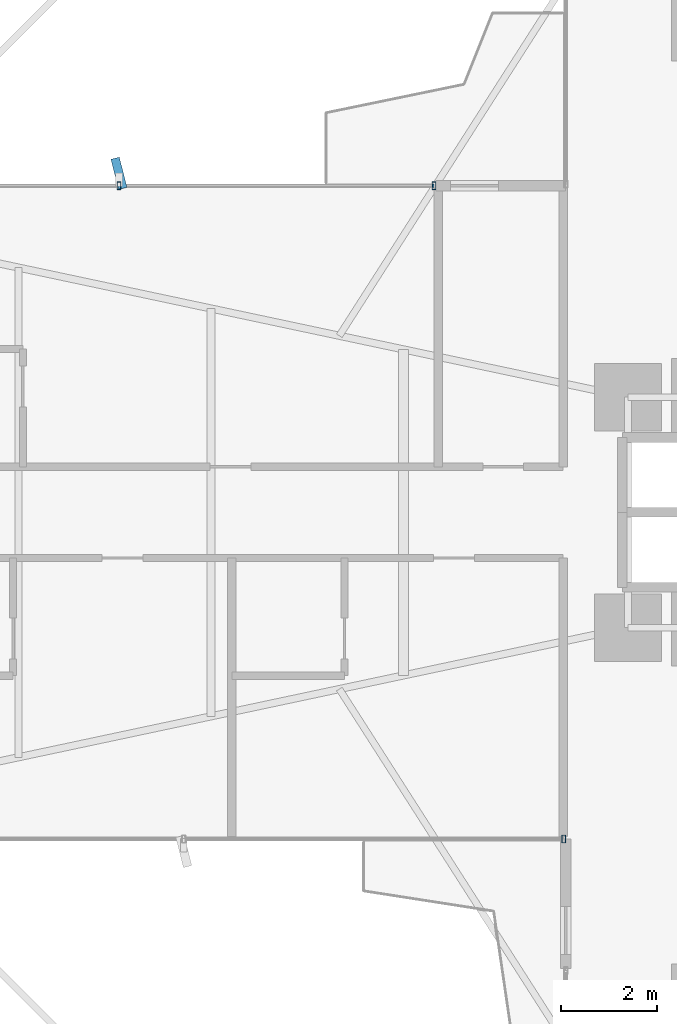
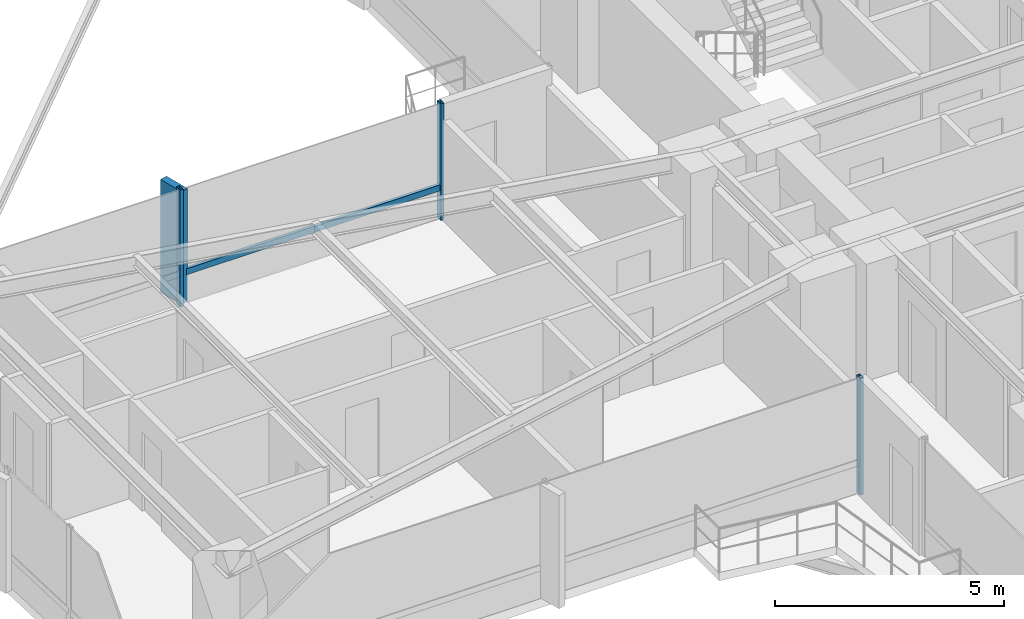
# One storey, part 10 of 26: 5 members, 2 elements without a shape of their own.
"""IFC4 building model written with IfcOpenShell, lengths in metres."""

from ifc_helpers import new_model, si_unit, direction, frame, origin, origin_2d, place, context, subcontext, project, spatial, rectangle, hollow_rectangle, extrude, source, transform, mapped, material, material_profile, profile_set, type_object, element, aggregate, save


model = new_model("IFC4")

# Units and contexts
model_context = context("Model", 3, precision=1e-05, world=origin(), true_north=direction((0.0, 1.0)))
body_context = subcontext(model_context, "Body", "Model", "MODEL_VIEW")
ifc_project = project(units=[si_unit("LENGTHUNIT", "METRE"), si_unit("AREAUNIT", "SQUARE_METRE"), si_unit("VOLUMEUNIT", "CUBIC_METRE"), si_unit("PLANEANGLEUNIT", "RADIAN"), si_unit("MASSUNIT", "GRAM", prefix="KILO")], contexts=[model_context])

# Site, building, storey
site_placement = place(None, origin())
site = spatial("IfcSite", under=ifc_project, at=site_placement, CompositionType="ELEMENT")
building_placement = place(site_placement, origin())
building = spatial("IfcBuilding", under=site, at=building_placement, Name="Sahyath Konkavel Grand Hotel", CompositionType="ELEMENT")
storey_placement = place(building_placement, frame((0.0, 0.0, 51.050048828125)))
storey = spatial("IfcBuildingStorey", under=building, at=storey_placement, Name="L13", CompositionType="ELEMENT", Elevation=51.050048828125)

# Curtain wall, members
ifc_material_1 = material(Name="Anodised Bronze Aluminium & Low-E Glazing", Category="aluminium")
curtain_wall_type = type_object("IfcCurtainWallType", Name="CW-ZONE1", PredefinedType="NOTDEFINED", material=ifc_material_1)
curtain_wall_1_placement = place(storey_placement, origin())
curtain_wall_1 = element("IfcCurtainWall", 1, at=curtain_wall_1_placement, inside=storey, type_object=curtain_wall_type, Name="L13 Unitised Curtain Wall F16", PredefinedType="NOTDEFINED")
ifc_material_2 = material(Name="Anodised Bronze Aluminium", Category="aluminium")
ifc_material_profile_1 = material_profile(ifc_material_2, hollow_rectangle(XDim=0.080078125, YDim=0.159912109375, WallThickness=0.006103515625, at=origin_2d()), Name="RHS 160x80x6")
ifc_profile_set_1 = profile_set([ifc_material_profile_1], Name="Anodised Bronze Aluminium")
member_type_1 = type_object("IfcMemberType", Name="CW-MUL-160", PredefinedType="MULLION", material=ifc_profile_set_1)
shared_shape_1 = source(origin(), body_context, "Body", "SweptSolid", [
    extrude(hollow_rectangle(XDim=0.080078125, YDim=0.159912109375, WallThickness=0.006103515625, at=origin_2d()), origin(), (0.0, 0.0, 1.0), 3.10986328125),
])
member_1_placement = place(storey_placement, frame((-9.5400390625, 6.800048828125, 0.0), z_axis=(0.0, 0.0, 1.0), x_axis=(1.0, 0.0, 0.0)))
member_1 = element("IfcMember", 2, at=member_1_placement, type_object=member_type_1, Name="L13 Curtain Wall Mullion F16-0", PredefinedType="MULLION", context=body_context, shape_type="MappedRepresentation", body=[
    mapped(shared_shape_1, transform((0.0, 0.0, 0.0), scale=1.0)),
])
member_2_placement = place(storey_placement, frame((-16.10009765625, 6.800048828125, 0.0), z_axis=(0.0, 0.0, 1.0), x_axis=(1.0, 0.0, 0.0)))
member_2 = element("IfcMember", 3, at=member_2_placement, type_object=member_type_1, Name="L13 Curtain Wall Mullion F16-1", PredefinedType="MULLION", context=body_context, shape_type="MappedRepresentation", body=[
    mapped(shared_shape_1, transform((0.0, 0.0, 0.0), scale=1.0)),
])

# Curtain wall, member
curtain_wall_2_placement = place(storey_placement, origin())
curtain_wall_2 = element("IfcCurtainWall", 4, at=curtain_wall_2_placement, inside=storey, type_object=curtain_wall_type, Name="L13 Unitised Curtain Wall F23", PredefinedType="NOTDEFINED")
member_3_placement = place(storey_placement, frame((-6.840087890625, -6.800048828125, 0.0), z_axis=(0.0, 0.0, 1.0), x_axis=(1.0, 0.0, 0.0)))
member_3 = element("IfcMember", 5, at=member_3_placement, type_object=member_type_1, Name="L13 Curtain Wall Mullion F23-2", PredefinedType="MULLION", context=body_context, shape_type="MappedRepresentation", body=[
    mapped(shared_shape_1, transform((0.0, 0.0, 0.0), scale=1.0)),
])
aggregate(curtain_wall_2, [member_3])

# Member
ifc_material_3 = material(Name="Warm Buff Sandstone Cladding on Concrete C50/60", Category="masonry")
ifc_material_profile_2 = material_profile(ifc_material_3, rectangle(XDim=0.179931640625, YDim=0.64990234375, at=origin_2d()), Name="FIN 180x650")
ifc_profile_set_2 = profile_set([ifc_material_profile_2], Name="Warm Buff Sandstone Cladding on Concrete C50/60")
member_type_2 = type_object("IfcMemberType", Name="FIN-SANDSTONE-650", PredefinedType="MULLION", material=ifc_profile_set_2)
shared_shape_2 = source(origin(), body_context, "Body", "SweptSolid", [
    extrude(rectangle(XDim=0.179931640625, YDim=0.64990234375, at=origin_2d()), origin(), (0.0, 0.0, 1.0), 3.010009765625),
])
member_4_placement = place(storey_placement, frame((-16.10009765625, 7.06005859375, 0.050048828125), z_axis=(0.0, 0.0, 1.0), x_axis=(0.969359662404, 0.245645771192, 0.0)))
member_4 = element("IfcMember", 6, at=member_4_placement, type_object=member_type_2, Name="L13 Sandstone Vertical Solar Fin FIN F16-1", PredefinedType="MULLION", context=body_context, shape_type="MappedRepresentation", body=[
    mapped(shared_shape_2, transform((0.0, 0.0, 0.0), scale=1.0)),
])

ifc_material_profile_3 = material_profile(ifc_material_2, hollow_rectangle(XDim=0.080078125, YDim=0.159912109375, WallThickness=0.006103515625, at=origin_2d()), Name="RHS 160x80x6")
ifc_profile_set_3 = profile_set([ifc_material_profile_3], Name="Anodised Bronze Aluminium")
member_type_3 = type_object("IfcMemberType", Name="CW-TRN-160", PredefinedType="USERDEFINED", material=ifc_profile_set_3)
shared_shape_3 = source(origin(), body_context, "Body", "SweptSolid", [
    extrude(hollow_rectangle(XDim=0.080078125, YDim=0.159912109375, WallThickness=0.006103515625, at=origin_2d()), origin(), (0.0, 0.0, 1.0), 6.56005859375),
])
member_5_placement = place(storey_placement, frame((-9.5400390625, 6.800048828125, 0.849853515625), z_axis=(-1.0, 0.0, 0.0), x_axis=(0.0, -1.0, 0.0)))
member_5 = element("IfcMember", 7, at=member_5_placement, type_object=member_type_3, Name="L13 Curtain Wall Transom F16-0-spandrel", ObjectType="TRANSOM", PredefinedType="USERDEFINED", context=body_context, shape_type="MappedRepresentation", body=[
    mapped(shared_shape_3, transform((0.0, 0.0, 0.0), scale=1.0)),
])

aggregate(curtain_wall_1, [member_1, member_2, member_4, member_5])

save(model, "model.ifc")
